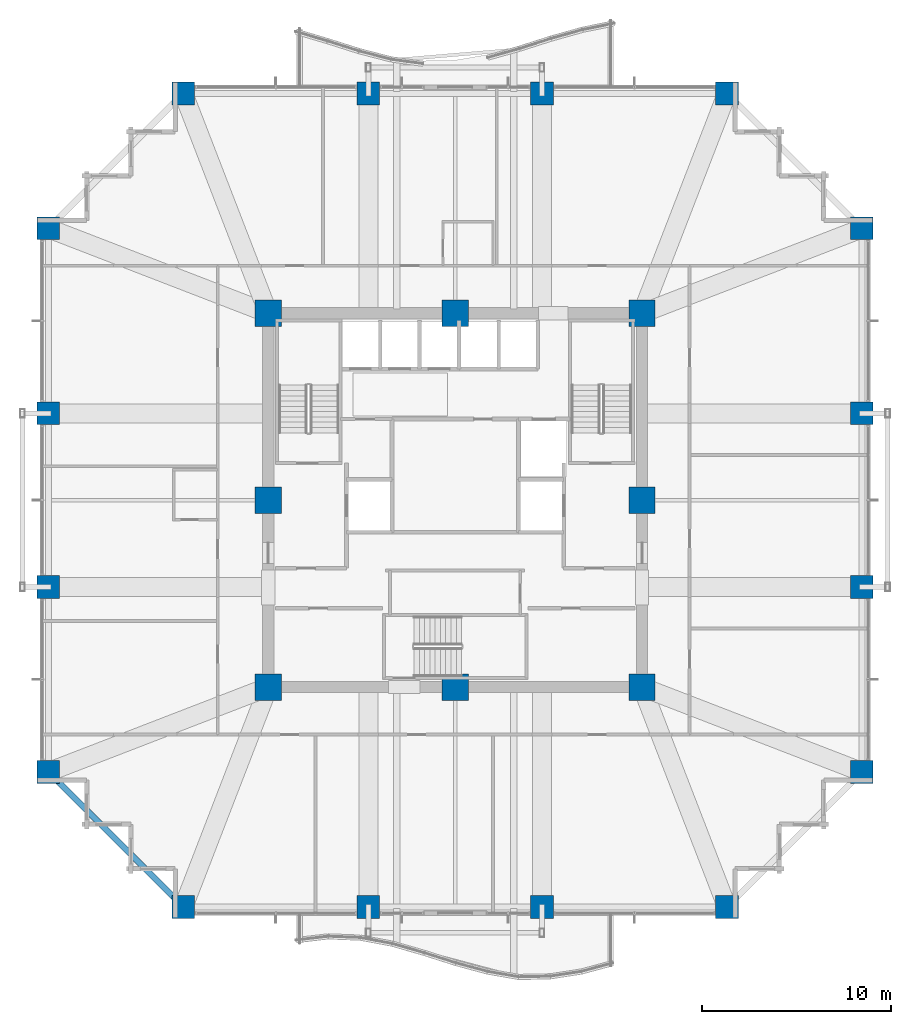
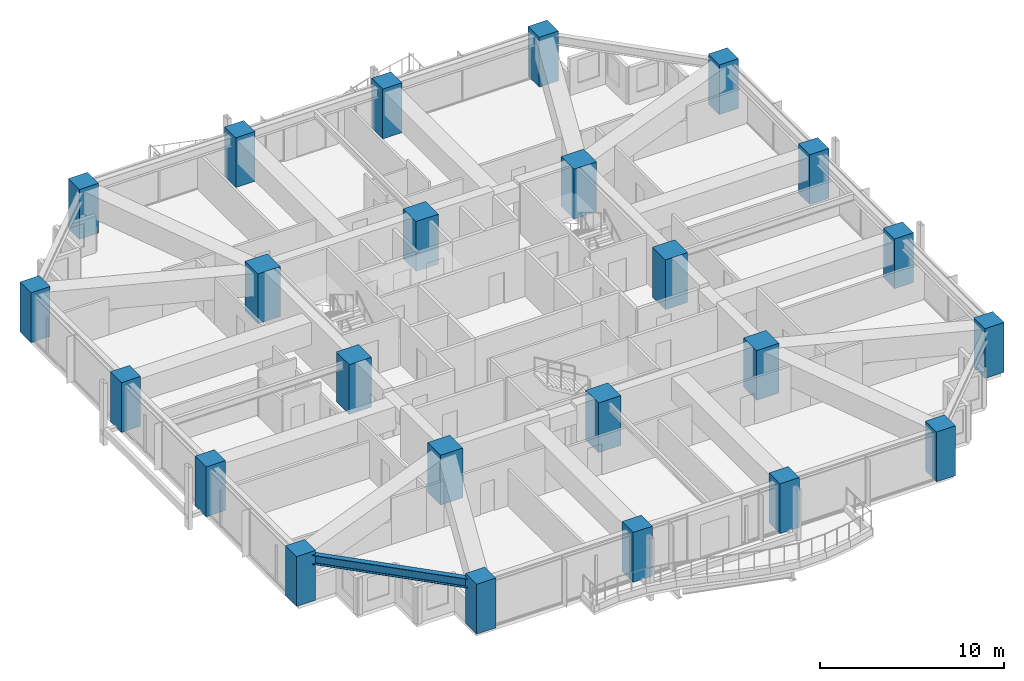
# One storey, part 1 of 37: 24 columns, 1 beam.
"""IFC4 building model written with IfcOpenShell, lengths in metres."""

from ifc_helpers import new_model, si_unit, direction, frame, origin, origin_2d, place, context, subcontext, project, spatial, rectangle, i_section, extrude, material, material_profile, profile_set, type_object, element, save


model = new_model("IFC4")

# Units and contexts
model_context = context("Model", 3, precision=1e-05, world=origin(), true_north=direction((0.0, 1.0)))
body_context = subcontext(model_context, "Body", "Model", "MODEL_VIEW")
ifc_project = project(units=[si_unit("LENGTHUNIT", "METRE"), si_unit("AREAUNIT", "SQUARE_METRE"), si_unit("VOLUMEUNIT", "CUBIC_METRE"), si_unit("PLANEANGLEUNIT", "RADIAN"), si_unit("MASSUNIT", "GRAM", prefix="KILO")], contexts=[model_context])

# Site, building, storey
site_placement = place(None, origin())
site = spatial("IfcSite", under=ifc_project, at=site_placement, CompositionType="ELEMENT")
building_placement = place(site_placement, origin())
building = spatial("IfcBuilding", under=site, at=building_placement, Name="Kolvaren Belvedere", CompositionType="ELEMENT")
storey_placement = place(building_placement, frame((0.0, 0.0, 43.60009765625)))
storey = spatial("IfcBuildingStorey", under=building, at=storey_placement, Name="L12", CompositionType="ELEMENT", Elevation=43.60009765625)

# Columns
ifc_material_1 = material(Name="Concrete C60/75", Category="concrete")
ifc_material_profile_1 = material_profile(ifc_material_1, rectangle(XDim=1.199951171875, YDim=1.199951171875, at=origin_2d()), Name="RC 1200X1200")
ifc_profile_set_1 = profile_set([ifc_material_profile_1], Name="Concrete C60/75")
column_type_1 = type_object("IfcColumnType", Name="COL-RC-1200", PredefinedType="COLUMN", material=ifc_profile_set_1)
for number, where, z_axis, x_axis, name in (
    (1, (-14.39990234375, -21.550048828125, 0.0), (0.0, 0.0, 1.0), (1.0, 0.0, 0.0), "L12 Perimeter Column S1"),
    (2, (-4.60009765625, -21.550048828125, 0.0), (0.0, 0.0, 1.0), (1.0, 0.0, 0.0), "L12 Perimeter Column S2"),
    (3, (4.60009765625, -21.550048828125, 0.0), (0.0, 0.0, 1.0), (1.0, 0.0, 0.0), "L12 Perimeter Column S3"),
    (4, (14.39990234375, -21.550048828125, 0.0), (0.0, 0.0, 1.0), (1.0, 0.0, 0.0), "L12 Perimeter Column S4"),
    (5, (-14.39990234375, 21.550048828125, 0.0), (0.0, 0.0, 1.0), (1.0, 0.0, 0.0), "L12 Perimeter Column N1"),
    (6, (-4.60009765625, 21.550048828125, 0.0), (0.0, 0.0, 1.0), (1.0, 0.0, 0.0), "L12 Perimeter Column N2"),
    (7, (4.60009765625, 21.550048828125, 0.0), (0.0, 0.0, 1.0), (1.0, 0.0, 0.0), "L12 Perimeter Column N3"),
    (8, (14.39990234375, 21.550048828125, 0.0), (0.0, 0.0, 1.0), (1.0, 0.0, 0.0), "L12 Perimeter Column N4"),
    (9, (-21.550048828125, -14.39990234375, 0.0), (0.0, 0.0, 1.0), (1.0, 0.0, 0.0), "L12 Perimeter Column W1"),
    (10, (-21.550048828125, -4.60009765625, 0.0), (0.0, 0.0, 1.0), (1.0, 0.0, 0.0), "L12 Perimeter Column W2"),
    (11, (-21.550048828125, 4.60009765625, 0.0), (0.0, 0.0, 1.0), (1.0, 0.0, 0.0), "L12 Perimeter Column W3"),
    (12, (-21.550048828125, 14.39990234375, 0.0), (0.0, 0.0, 1.0), (1.0, 0.0, 0.0), "L12 Perimeter Column W4"),
    (13, (21.550048828125, -14.39990234375, 0.0), (0.0, 0.0, 1.0), (1.0, 0.0, 0.0), "L12 Perimeter Column E1"),
    (14, (21.550048828125, -4.60009765625, 0.0), (0.0, 0.0, 1.0), (1.0, 0.0, 0.0), "L12 Perimeter Column E2"),
    (15, (21.550048828125, 4.60009765625, 0.0), (0.0, 0.0, 1.0), (1.0, 0.0, 0.0), "L12 Perimeter Column E3"),
    (16, (21.550048828125, 14.39990234375, 0.0), (0.0, 0.0, 1.0), (1.0, 0.0, 0.0), "L12 Perimeter Column E4"),
):
    element("IfcColumn", number, at=place(storey_placement, frame(where, z_axis=z_axis, x_axis=x_axis)), inside=storey, type_object=column_type_1, Name=name, PredefinedType="COLUMN", context=body_context, shape_type="SweptSolid", body=[
        extrude(rectangle(XDim=1.199951171875, YDim=1.199951171875, at=origin_2d()), origin(), (0.0, 0.0, 1.0), 3.2998046875),
    ])
ifc_material_2 = material(Name="Concrete C60/75", Category="concrete")
ifc_material_profile_2 = material_profile(ifc_material_2, rectangle(XDim=1.39990234375, YDim=1.39990234375, at=origin_2d()), Name="RC 1400X1400")
ifc_profile_set_2 = profile_set([ifc_material_profile_2], Name="Concrete C60/75")
column_type_2 = type_object("IfcColumnType", Name="COL-RC-1400", PredefinedType="COLUMN", material=ifc_profile_set_2)
for number, where, z_axis, x_axis, name in (
    (17, (-9.89990234375, -9.89990234375, 0.0), (0.0, 0.0, 1.0), (1.0, 0.0, 0.0), "L12 Core Column CC1"),
    (18, (9.89990234375, -9.89990234375, 0.0), (0.0, 0.0, 1.0), (1.0, 0.0, 0.0), "L12 Core Column CC2"),
    (19, (9.89990234375, 9.89990234375, 0.0), (0.0, 0.0, 1.0), (1.0, 0.0, 0.0), "L12 Core Column CC3"),
    (20, (-9.89990234375, 9.89990234375, 0.0), (0.0, 0.0, 1.0), (1.0, 0.0, 0.0), "L12 Core Column CC4"),
    (21, (0.0, -9.89990234375, 0.0), (0.0, 0.0, 1.0), (1.0, 0.0, 0.0), "L12 Core Column CM1"),
    (22, (9.89990234375, 0.0, 0.0), (0.0, 0.0, 1.0), (1.0, 0.0, 0.0), "L12 Core Column CM2"),
    (23, (0.0, 9.89990234375, 0.0), (0.0, 0.0, 1.0), (1.0, 0.0, 0.0), "L12 Core Column CM3"),
    (24, (-9.89990234375, 0.0, 0.0), (0.0, 0.0, 1.0), (1.0, 0.0, 0.0), "L12 Core Column CM4"),
):
    element("IfcColumn", number, at=place(storey_placement, frame(where, z_axis=z_axis, x_axis=x_axis)), inside=storey, type_object=column_type_2, Name=name, PredefinedType="COLUMN", context=body_context, shape_type="SweptSolid", body=[
        extrude(rectangle(XDim=1.39990234375, YDim=1.39990234375, at=origin_2d()), origin(), (0.0, 0.0, 1.0), 3.2998046875),
    ])

# Beam
ifc_material_3 = material(Name="Structural steel ASTM A992 Grade 50", Category="steel")
ifc_material_profile_3 = material_profile(ifc_material_3, i_section(OverallWidth=0.324951171875, OverallDepth=0.615966796875, WebThickness=0.013916015625, FlangeThickness=0.021484375, FilletRadius=0.02001953125, at=origin_2d()), Name="W24X117")
ifc_profile_set_3 = profile_set([ifc_material_profile_3], Name="Structural steel ASTM A992 Grade 50")
beam_type = type_object("IfcBeamType", Name="BM-SPAN-W24X117", PredefinedType="SPANDREL", material=ifc_profile_set_3)
beam_placement = place(storey_placement, frame((-21.359130859375, -14.5908203125, 2.751953125), z_axis=(0.707106781187, -0.707106781187, 0.0), x_axis=(0.707106781187, 0.707106781187, 0.0)))
element("IfcBeam", 25, at=beam_placement, inside=storey, type_object=beam_type, Name="L12 Perimeter Spandrel W1-S1", PredefinedType="SPANDREL", context=body_context, shape_type="SweptSolid", body=[
    extrude(i_section(OverallWidth=0.324951171875, OverallDepth=0.615966796875, WebThickness=0.013916015625, FlangeThickness=0.021484375, FilletRadius=0.02001953125, at=origin_2d()), origin(), (0.0, 0.0, 1.0), 9.57177734375),
])

save(model, "model.ifc")
